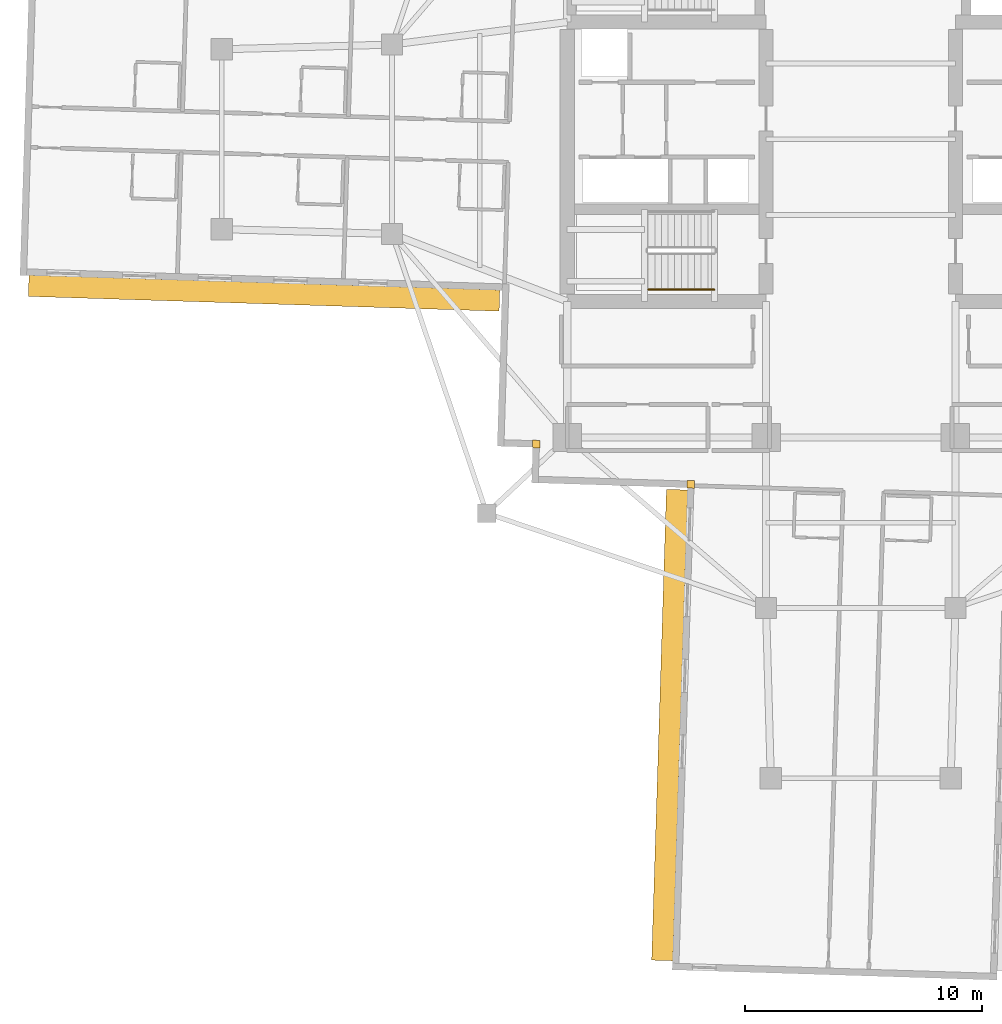
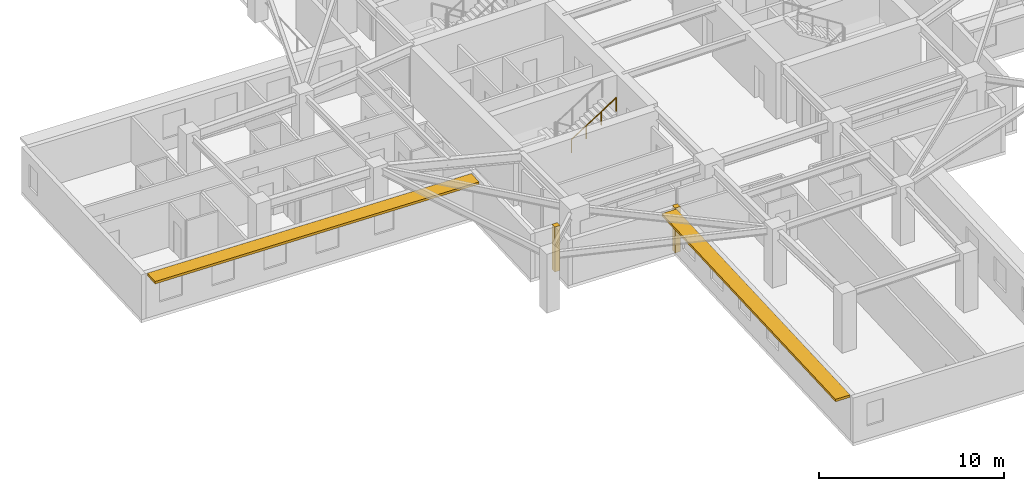
# One storey, part 9 of 13: 2 coverings, 2 shading devices, 1 railing.
"""IFC4 building model written with IfcOpenShell, lengths in metres."""

from ifc_helpers import new_model, si_unit, direction, frame, origin, origin_2d, place, context, subcontext, project, spatial, rectangle, circle, extrude, material, layer, layer_set, type_object, element, save


model = new_model("IFC4")

# Units and contexts
model_context = context("Model", 3, precision=1e-05, world=origin(), true_north=direction((0.0, 1.0)))
body_context = subcontext(model_context, "Body", "Model", "MODEL_VIEW")
ifc_project = project(units=[si_unit("LENGTHUNIT", "METRE"), si_unit("AREAUNIT", "SQUARE_METRE"), si_unit("VOLUMEUNIT", "CUBIC_METRE"), si_unit("PLANEANGLEUNIT", "RADIAN"), si_unit("MASSUNIT", "GRAM", prefix="KILO")], contexts=[model_context])

# Site, building, storey
site_placement = place(None, origin())
site = spatial("IfcSite", under=ifc_project, at=site_placement, CompositionType="ELEMENT")
building_placement = place(site_placement, origin())
building = spatial("IfcBuilding", under=site, at=building_placement, Name="Qingluan Cross Belvedere", CompositionType="ELEMENT")
storey_placement = place(building_placement, frame((0.0, 0.0, 152.699951171875)))
storey = spatial("IfcBuildingStorey", under=building, at=storey_placement, Name="L38", CompositionType="ELEMENT", Elevation=152.699951171875)

# Coverings
ifc_material_1 = material(Name="Precast concrete C45", Category="concrete")
ifc_layer_1 = layer(ifc_material_1, 0.1201171875, Name="ConcreteSpandrelCladding_120")
ifc_layer_set_1 = layer_set([ifc_layer_1], Name="Precast concrete C45")
covering_type = type_object("IfcCoveringType", Name="ConcreteSpandrelCladding_120", PredefinedType="CLADDING", material=ifc_layer_set_1)
for number, where, z_axis, x_axis, name in (
    (1, (-13.711181640625, -12.875732421875, 0.0), (0.0, 0.0, 1.0), (0.999506560366, -0.031410759078, 0.0), "Corner closure L38-SW1"),
    (2, (-7.181640625, -14.58154296875, 0.0), (0.0, 0.0, 1.0), (0.999506560366, -0.031410759078, 0.0), "Corner closure L38-SW2"),
):
    element("IfcCovering", number, at=place(storey_placement, frame(where, z_axis=z_axis, x_axis=x_axis)), inside=storey, type_object=covering_type, Name=name, PredefinedType="CLADDING", context=body_context, shape_type="SweptSolid", body=[
        extrude(rectangle(XDim=0.320068359375, YDim=0.320068359375, at=origin_2d()), origin(), (0.0, 0.0, 1.0), 2.969970703125),
    ])

# Shading devices
ifc_material_2 = material(Name="Precast concrete C45", Category="concrete")
ifc_layer_2 = layer(ifc_material_2, 0.159912109375, Name="ConcreteSunshadeBand_900")
ifc_layer_set_2 = layer_set([ifc_layer_2], Name="Precast concrete C45")
shading_device_type = type_object("IfcShadingDeviceType", Name="ConcreteSunshadeBand_900", PredefinedType="USERDEFINED", material=ifc_layer_set_2)
for number, where, z_axis, x_axis, name in (
    (3, (-25.206787109375, -6.50146484375, 2.7900390625), (0.0, 0.0, 1.0), (0.999506649124, -0.031407934627, 0.0), "Concrete SUNSHADE L38-WB"),
    (4, (-8.0712890625, -24.74853515625, 2.7900390625), (0.0, 0.0, 1.0), (-0.031407934627, -0.999506649124, 0.0), "Concrete SUNSHADE L38-SA"),
):
    element("IfcShadingDevice", number, at=place(storey_placement, frame(where, z_axis=z_axis, x_axis=x_axis)), inside=storey, type_object=shading_device_type, Name=name, ObjectType="SUNSHADE", PredefinedType="USERDEFINED", context=body_context, shape_type="SweptSolid", body=[
        extrude(rectangle(XDim=19.89990234375, YDim=0.89990234375, at=origin_2d()), origin(), (0.0, 0.0, 1.0), 0.159912109375),
    ])

# Railing
ifc_material_3 = material(Name="Brushed stainless steel tubular handrail", Category="steel")
railing_type = type_object("IfcRailingType", Name="StairPitchHandrail_900", PredefinedType="HANDRAIL", material=ifc_material_3)
railing_placement = place(storey_placement, frame((-8.97998046875, -6.35009765625, 2.12744140625)))
element("IfcRailing", 5, at=railing_placement, inside=storey, type_object=railing_type, Name="L38 ST1 stair handrail 2", PredefinedType="HANDRAIL", context=body_context, shape_type="SweptSolid", body=[
    extrude(circle(Radius=0.02392578125, at=origin_2d()), frame((0.0, 0.0, 0.8759765625), z_axis=(0.844908973607, 0.0, 0.534910110503), x_axis=(0.0, 1.0, 0.0)), (0.0, 0.0, 1.0), 3.31396484375),
    extrude(circle(Radius=0.02099609375, at=origin_2d()), origin(), (0.0, 0.0, 1.0), 0.851806640625),
    extrude(circle(Radius=0.02099609375, at=origin_2d()), frame((0.933349609375, 0.0, 0.5908203125)), (0.0, 0.0, 1.0), 0.851806640625),
    extrude(circle(Radius=0.02099609375, at=origin_2d()), frame((1.86669921875, 0.0, 1.181884765625)), (0.0, 0.0, 1.0), 0.851806640625),
    extrude(circle(Radius=0.02099609375, at=origin_2d()), frame((2.800048828125, 0.0, 1.772705078125)), (0.0, 0.0, 1.0), 0.851806640625),
])

save(model, "model.ifc")
